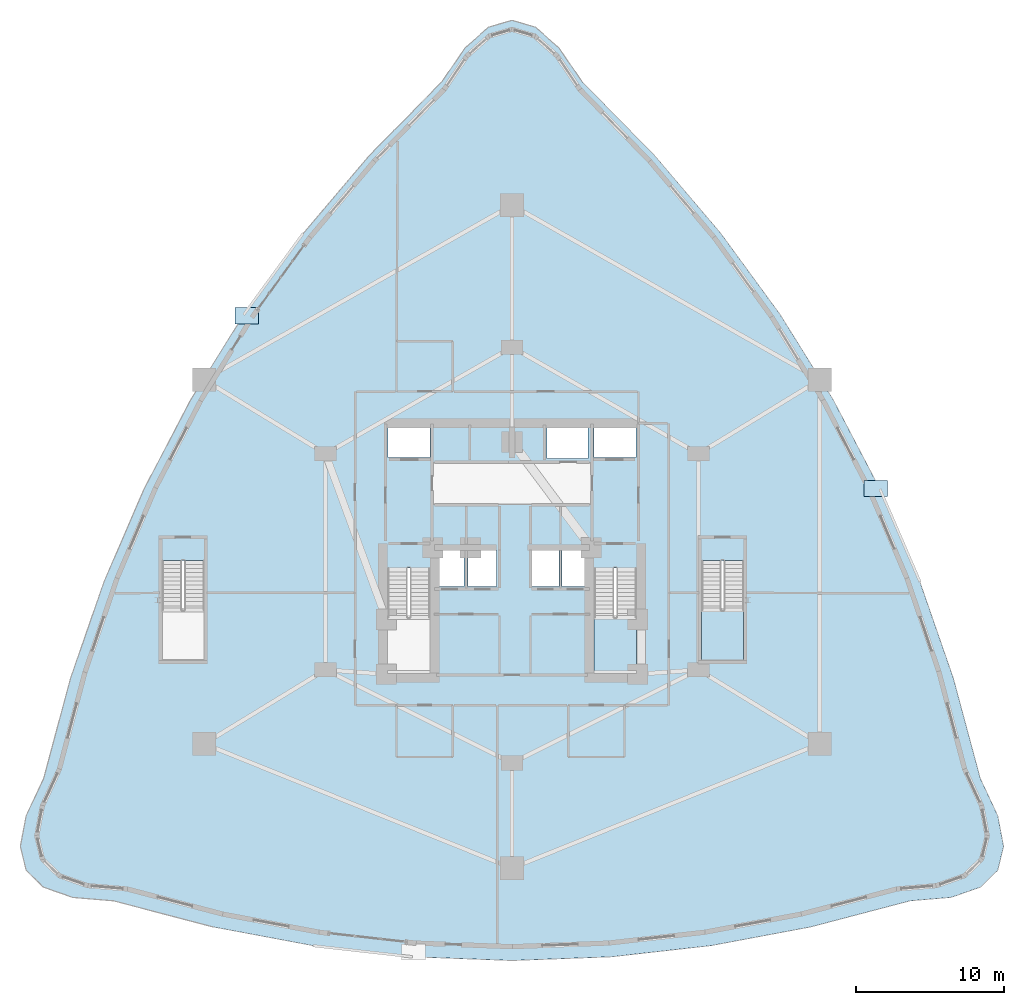
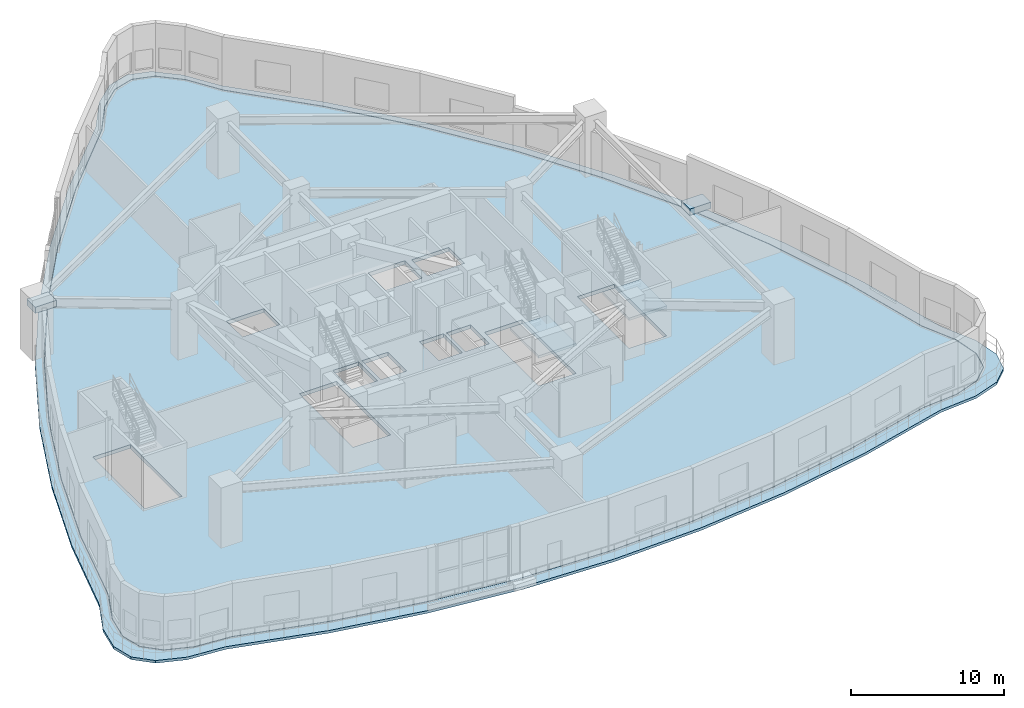
# One storey, part 10 of 19: 6 slabs, 2 elements without a shape of their own.
"""IFC4 building model written with IfcOpenShell, lengths in metres."""

import ifcopenshell
import ifcopenshell.guid

model = None  # the IFC model being written
_history = None  # IfcOwnerHistory: only IFC2X3 demands one
_inside = {}  # id of a spatial element -> (the spatial element, [elements in it])
_under = {}  # id of a project, library or spatial element -> (it, [spatial elements below it])
_declared = {}  # id of a project -> (the project, [libraries it declares])
_typed = {}  # id of a type object -> (the type object, [elements of that type])
_made_of = {}  # id of a material, layer set ... -> (it, [elements and type objects made of it])


def new_model(schema):
    """Start an empty IFC model of exactly this schema.

    Asked for "IFC4X3", IfcOpenShell would pick the latest addendum, in which some entities
    have other attributes; the version numbers below select the first issue.
    IFC2X3 requires an IfcOwnerHistory on every rooted entity: one is made here for all.
    """
    global model, _history
    if schema == "IFC4X3":
        model = ifcopenshell.file(schema_version=(4, 3, 0, 0))
    else:
        model = ifcopenshell.file(schema=schema)
    _inside.clear()
    _under.clear()
    _declared.clear()
    _typed.clear()
    _made_of.clear()
    _history = None
    if model.schema == "IFC2X3":
        org = make("IfcOrganization", Name="unknown")
        user = make(
            "IfcPersonAndOrganization",
            ThePerson=make("IfcPerson", FamilyName="unknown"),
            TheOrganization=org,
        )
        app = make(
            "IfcApplication",
            ApplicationDeveloper=org,
            Version="unknown",
            ApplicationFullName="unknown",
            ApplicationIdentifier="unknown",
        )
        _history = make(
            "IfcOwnerHistory",
            OwningUser=user,
            OwningApplication=app,
            ChangeAction="ADDED",
            CreationDate=0,
        )
    return model


def make(cls, **values):
    """One entity of the class cls with the attributes given. An attribute that is None is left unset."""
    return model.create_entity(
        cls, **{name: value for name, value in values.items() if value is not None}
    )


def rooted(cls, **values):
    """An entity with a GlobalId (a new one), such as an element, a storey or a relation."""
    return make(cls, GlobalId=ifcopenshell.guid.new(), OwnerHistory=_history, **values)


def si_unit(unit_type, name, prefix=None):
    """IfcSIUnit, for example si_unit("LENGTHUNIT", "METRE", prefix="MILLI")."""
    return make("IfcSIUnit", UnitType=unit_type, Prefix=prefix, Name=name)


def assignment(units):
    """IfcUnitAssignment: the units of a project."""
    return None if units is None else make("IfcUnitAssignment", Units=units)


def point(xyz):
    """IfcCartesianPoint."""
    return None if xyz is None else make("IfcCartesianPoint", Coordinates=xyz)


def direction(xyz):
    """IfcDirection."""
    return None if xyz is None else make("IfcDirection", DirectionRatios=xyz)


def frame(location, z_axis=None, x_axis=None):
    """IfcAxis2Placement3D, a coordinate frame: its origin and axes. An axis left out is left unset."""
    return make(
        "IfcAxis2Placement3D",
        Location=point(location),
        Axis=direction(z_axis),
        RefDirection=direction(x_axis),
    )


def origin():
    """The frame at (0, 0, 0) with its axes left unset."""
    return frame((0.0, 0.0, 0.0))


def place(relative_to, where):
    """IfcLocalPlacement: puts the frame where relative to a parent placement (None: the world)."""
    return make(
        "IfcLocalPlacement", PlacementRelTo=relative_to, RelativePlacement=where
    )


def context(
    kind, dimensions, precision=None, world=None, true_north=None, identifier=None
):
    """IfcGeometricRepresentationContext, for example the 3D "Model" context."""
    return make(
        "IfcGeometricRepresentationContext",
        ContextIdentifier=identifier,
        ContextType=kind,
        CoordinateSpaceDimension=dimensions,
        Precision=precision,
        WorldCoordinateSystem=world,
        TrueNorth=true_north,
    )


def subcontext(parent, identifier, kind, view, scale=None):
    """IfcGeometricRepresentationSubContext, for example "Body" below "Model"."""
    return make(
        "IfcGeometricRepresentationSubContext",
        ContextIdentifier=identifier,
        ContextType=kind,
        ParentContext=parent,
        TargetScale=scale,
        TargetView=view,
    )


def project(units=None, contexts=None):
    """IfcProject with its units and contexts."""
    return rooted(
        "IfcProject",
        Name="project",
        RepresentationContexts=contexts,
        UnitsInContext=assignment(units),
    )


def spatial(cls, under=None, at=None, **own):
    """A site, building, storey or space (cls), placed at a placement, below another one or the project."""
    s = rooted(cls, ObjectPlacement=at, **own)
    if under is not None:
        _under.setdefault(under.id(), (under, []))[1].append(s)
    return s


def polyline(points):
    """IfcPolyline through the points."""
    return make("IfcPolyline", Points=[point(p) for p in points])


def outline(outer, holes=None, kind="AREA"):
    """IfcArbitraryClosedProfileDef: a profile drawn as a closed curve; with holes, ...WithVoids."""
    if holes is None:
        return make("IfcArbitraryClosedProfileDef", ProfileType=kind, OuterCurve=outer)
    return make(
        "IfcArbitraryProfileDefWithVoids",
        ProfileType=kind,
        OuterCurve=outer,
        InnerCurves=holes,
    )


def extrude(swept, where, along, depth):
    """IfcExtrudedAreaSolid: the profile swept, set in the frame where, extruded along a direction by depth."""
    return make(
        "IfcExtrudedAreaSolid",
        SweptArea=swept,
        Position=where,
        ExtrudedDirection=direction(along),
        Depth=depth,
    )


def shape(context_of_items, identifier, shape_type, items):
    """IfcShapeRepresentation: the items that make up one representation, for example the "Body"."""
    return make(
        "IfcShapeRepresentation",
        ContextOfItems=context_of_items,
        RepresentationIdentifier=identifier,
        RepresentationType=shape_type,
        Items=items,
    )


def material(Name=None, Category=None):
    """IfcMaterial."""
    return make("IfcMaterial", Name=Name, Category=Category)


def layer(
    of_material, thickness, ventilated=None, Name=None, Category=None, Priority=None
):
    """IfcMaterialLayer: one layer of a wall or slab, of a material (None: an air gap)."""
    return make(
        "IfcMaterialLayer",
        Material=of_material,
        LayerThickness=thickness,
        IsVentilated=ventilated,
        Name=Name,
        Category=Category,
        Priority=Priority,
    )


def layer_set(layers, Name=None):
    """IfcMaterialLayerSet."""
    return make("IfcMaterialLayerSet", MaterialLayers=layers, LayerSetName=Name)


def made_of(thing, what):
    """Note that an element or type object is made of a material, layer set ...; save() writes the relation."""
    if what is not None:
        _made_of.setdefault(what.id(), (what, []))[1].append(thing)
    return thing


def type_object(cls, material=None, **own):
    """A type object (cls), such as IfcWallType, which elements share."""
    return made_of(rooted(cls, **own), material)


def element(
    cls,
    number,
    at=None,
    inside=None,
    cuts=None,
    type_object=None,
    material=None,
    context=None,
    identifier="Body",
    shape_type=None,
    held_by="IfcProductDefinitionShape",
    body=None,
    shapes=None,
    **own,
):
    """One element of the class cls, such as IfcWall. Its Tag is "e" and its number.

    at: its placement. inside: the storey or other place that contains it. cuts: it is an
    opening in that element (IfcRelVoidsElement). A single representation is given by context,
    identifier, shape_type and body (its items); several are given by shapes. held_by: the class
    of the entity that holds the representations. save() writes the other relations.
    """
    e = rooted(cls, Tag="e%d" % number, ObjectPlacement=at, **own)
    if body is not None:
        shapes = [shape(context, identifier, shape_type, body)]
    if shapes is not None:
        e.Representation = make(held_by, Representations=shapes)
    if inside is not None:
        _inside.setdefault(inside.id(), (inside, []))[1].append(e)
    if cuts is not None:
        rooted(
            "IfcRelVoidsElement", RelatingBuildingElement=cuts, RelatedOpeningElement=e
        )
    if type_object is not None:
        _typed.setdefault(type_object.id(), (type_object, []))[1].append(e)
    return made_of(e, material)


def aggregate(whole, parts):
    """IfcRelAggregates: a whole, such as a stair, and the parts it consists of."""
    return rooted("IfcRelAggregates", RelatingObject=whole, RelatedObjects=parts)


def save(model, path):
    """Write the relations noted so far, then the file.

    IfcRelAggregates (storeys below a building ...), IfcRelContainedInSpatialStructure (elements
    in a storey), IfcRelDefinesByType, IfcRelAssociatesMaterial and IfcRelDeclares: one each for
    every whole, place, type object, material and project.
    """
    for whole, parts in _under.values():
        aggregate(whole, parts)
    for where, things in _inside.values():
        rooted(
            "IfcRelContainedInSpatialStructure",
            RelatedElements=things,
            RelatingStructure=where,
        )
    for kind, things in _typed.values():
        rooted("IfcRelDefinesByType", RelatedObjects=things, RelatingType=kind)
    for what, things in _made_of.values():
        rooted("IfcRelAssociatesMaterial", RelatedObjects=things, RelatingMaterial=what)
    for by, libraries in _declared.values():
        rooted("IfcRelDeclares", RelatingContext=by, RelatedDefinitions=libraries)
    model.write(path)


model = new_model("IFC4")

# Units and contexts
model_context = context("Model", 3, precision=1e-05, world=origin(), true_north=direction((0.0, 1.0)))
body_context = subcontext(model_context, "Body", "Model", "MODEL_VIEW")
ifc_project = project(units=[si_unit("LENGTHUNIT", "METRE"), si_unit("AREAUNIT", "SQUARE_METRE"), si_unit("VOLUMEUNIT", "CUBIC_METRE"), si_unit("PLANEANGLEUNIT", "RADIAN"), si_unit("MASSUNIT", "GRAM", prefix="KILO")], contexts=[model_context])

# Site, building, storey
site_placement = place(None, origin())
site = spatial("IfcSite", under=ifc_project, at=site_placement, CompositionType="ELEMENT")
building_placement = place(site_placement, origin())
building = spatial("IfcBuilding", under=site, at=building_placement, Name="Miruveldt Soraemaru", CompositionType="ELEMENT")
storey_placement = place(building_placement, frame((0.0, 0.0, 19.199951171875)))
storey = spatial("IfcBuildingStorey", under=building, at=storey_placement, Name="L05", CompositionType="ELEMENT", Elevation=19.199951171875)

# Stair, slab
ifc_material_1 = material(Name="Concrete C40/50 (40 MPa)", Category="concrete")
stair_type_1 = type_object("IfcStairType", Name="STAIR-DL-480", PredefinedType="HALF_TURN_STAIR", material=ifc_material_1)
stair_1_placement = place(storey_placement, origin())
stair_1 = element("IfcStair", 1, at=stair_1_placement, inside=storey, type_object=stair_type_1, Name="L05 Protected Exit Stair ST-2", PredefinedType="HALF_TURN_STAIR")
ifc_layer_1 = layer(ifc_material_1, 0.199951171875, Name="Concrete C40/50 (40 MPa)", Category="concrete")
ifc_layer_set_1 = layer_set([ifc_layer_1], Name="Concrete C40/50 (40 MPa)")
slab_type_1 = type_object("IfcSlabType", Name="SLAB-LAND-200", PredefinedType="LANDING", material=ifc_layer_set_1)
slab_1_placement = place(storey_placement, frame((0.0, 0.0, 2.199951171875)))
slab_1 = element("IfcSlab", 2, at=slab_1_placement, type_object=slab_type_1, Name="ST-2 landing 1", PredefinedType="LANDING", context=body_context, shape_type="SweptSolid", body=[
    extrude(outline(polyline([(49.550048828125, 39.35791015625), (49.550048828125, 35.64990234375), (52.39990234375, 35.64990234375), (52.39990234375, 39.35791015625), (49.550048828125, 39.35791015625)])), origin(), (0.0, 0.0, 1.0), 0.2001953125),
])
aggregate(stair_1, [slab_1])

ifc_material_2 = material(Name="Steel S355 (355 MPa)", Category="steel")
stair_type_2 = type_object("IfcStairType", Name="STAIR-FEAT-STR", PredefinedType="TWO_STRAIGHT_RUN_STAIR", material=ifc_material_2)
stair_2_placement = place(storey_placement, origin())
stair_2 = element("IfcStair", 3, at=stair_2_placement, inside=storey, type_object=stair_type_2, Name="L05 Podium Garden Feature Stair ST-4", PredefinedType="TWO_STRAIGHT_RUN_STAIR")
slab_2_placement = place(storey_placement, frame((0.0, 0.0, 2.199951171875)))
slab_2 = element("IfcSlab", 4, at=slab_2_placement, type_object=slab_type_1, Name="ST-4 landing 1", PredefinedType="LANDING", context=body_context, shape_type="SweptSolid", body=[
    extrude(outline(polyline([(56.800048828125, 39.85791015625), (56.800048828125, 36.39990234375), (59.64990234375, 36.39990234375), (59.64990234375, 39.85791015625), (56.800048828125, 39.85791015625)])), origin(), (0.0, 0.0, 1.0), 0.2001953125),
])
aggregate(stair_2, [slab_2])

# Slabs
ifc_material_3 = material(Name="Precast concrete C45/55 (45 MPa)", Category="concrete")
ifc_layer_2 = layer(ifc_material_3, 0.179931640625, Name="Precast concrete C45/55 (45 MPa)", Category="concrete")
ifc_layer_set_2 = layer_set([ifc_layer_2], Name="Precast concrete C45/55 (45 MPa)")
slab_type_2 = type_object("IfcSlabType", Name="SLAB-PLTR-180", PredefinedType="USERDEFINED", material=ifc_layer_set_2)
slab_3_placement = place(storey_placement, origin())
element("IfcSlab", 5, at=slab_3_placement, inside=storey, type_object=slab_type_2, Name="L05 Terrace Planter Bed PLANTER 1", ObjectType="PLANTER", PredefinedType="USERDEFINED", context=body_context, shape_type="SweptSolid", body=[
    extrude(outline(polyline([(25.26806640625, 59.178955078125), (26.867919921875, 59.178955078125), (26.867919921875, 60.279052734375), (25.26806640625, 60.279052734375), (25.26806640625, 59.178955078125)])), origin(), (0.0, 0.0, 1.0), 0.5),
])
slab_4_placement = place(storey_placement, origin())
element("IfcSlab", 6, at=slab_4_placement, inside=storey, type_object=slab_type_2, Name="L05 Terrace Planter Bed PLANTER 3", ObjectType="PLANTER", PredefinedType="USERDEFINED", context=body_context, shape_type="SweptSolid", body=[
    extrude(outline(polyline([(67.782958984375, 47.5048828125), (69.383056640625, 47.5048828125), (69.383056640625, 48.60498046875), (67.782958984375, 48.60498046875), (67.782958984375, 47.5048828125)])), origin(), (0.0, 0.0, 1.0), 0.5),
])
ifc_layer_3 = layer(ifc_material_1, 0.300048828125, Name="Concrete C40/50 (40 MPa)", Category="concrete")
ifc_layer_set_3 = layer_set([ifc_layer_3], Name="Concrete C40/50 (40 MPa)")
slab_type_3 = type_object("IfcSlabType", Name="SLAB-PODM-300", PredefinedType="FLOOR", material=ifc_layer_set_3)
slab_5_placement = place(storey_placement, frame((0.0, 0.0, -0.300048828125)))
element("IfcSlab", 7, at=slab_5_placement, inside=storey, type_object=slab_type_3, Name="L05 Structural Floor Slab", PredefinedType="FLOOR", context=body_context, shape_type="SweptSolid", body=[
    extrude(outline(polyline([(53.33154296875, 70.14453125), (57.661376953125, 65.00830078125), (61.56005859375, 59.62841796875), (65.02783203125, 54.00439453125), (68.064697265625, 48.136474609375), (70.670654296875, 42.024658203125), (72.845703125, 35.6689453125), (74.589599609375, 29.0693359375), (75.732421875, 26.601806640625), (76.11328125, 24.5830078125), (75.732421875, 23.0126953125), (74.589599609375, 21.891357421875), (72.685302734375, 21.21826171875), (70.018798828125, 20.993896484375), (63.51416015625, 19.28662109375), (57.009521484375, 18.06689453125), (50.504638671875, 17.335205078125), (44.0, 17.09130859375), (37.495361328125, 17.335205078125), (30.990478515625, 18.06689453125), (24.48583984375, 19.28662109375), (17.981201171875, 20.993896484375), (15.314697265625, 21.21826171875), (13.410400390625, 21.891357421875), (12.267578125, 23.0126953125), (11.88671875, 24.5830078125), (12.267578125, 26.601806640625), (13.410400390625, 29.0693359375), (15.154296875, 35.6689453125), (17.329345703125, 42.024658203125), (19.935302734375, 48.136474609375), (22.97216796875, 54.00439453125), (26.43994140625, 59.62841796875), (30.338623046875, 65.00830078125), (34.66845703125, 70.14453125), (39.42919921875, 75.03662109375), (40.95263671875, 77.27978515625), (42.476318359375, 78.625732421875), (44.0, 79.07421875), (45.523681640625, 78.625732421875), (47.04736328125, 77.27978515625), (48.57080078125, 75.03662109375), (53.33154296875, 70.14453125)]), holes=[polyline([(35.614990234375, 35.6650390625), (38.43505859375, 35.6650390625), (38.43505859375, 42.68505859375), (35.614990234375, 42.68505859375), (35.614990234375, 35.6650390625)]), polyline([(20.364990234375, 36.4150390625), (23.18505859375, 36.4150390625), (23.18505859375, 43.18505859375), (20.364990234375, 43.18505859375), (20.364990234375, 36.4150390625)]), polyline([(40.764892578125, 41.4150390625), (40.764892578125, 43.885009765625), (38.81494140625, 43.885009765625), (38.81494140625, 41.4150390625), (40.764892578125, 41.4150390625)]), polyline([(41.034912109375, 41.4150390625), (42.965087890625, 41.4150390625), (42.965087890625, 43.885009765625), (41.034912109375, 43.885009765625), (41.034912109375, 41.4150390625)]), polyline([(45.364990234375, 41.4150390625), (47.1650390625, 41.4150390625), (47.1650390625, 43.885009765625), (45.364990234375, 43.885009765625), (45.364990234375, 41.4150390625)]), polyline([(38.445068359375, 50.135009765625), (38.445068359375, 52.205078125), (35.635009765625, 52.205078125), (35.635009765625, 50.135009765625), (38.445068359375, 50.135009765625)]), polyline([(49.56494140625, 42.68505859375), (49.56494140625, 35.6650390625), (52.385009765625, 35.6650390625), (52.385009765625, 42.68505859375), (49.56494140625, 42.68505859375)]), polyline([(56.81494140625, 43.18505859375), (56.81494140625, 36.4150390625), (59.635009765625, 36.4150390625), (59.635009765625, 43.18505859375), (56.81494140625, 43.18505859375)]), polyline([(49.18505859375, 41.4150390625), (49.18505859375, 43.885009765625), (47.39501953125, 43.885009765625), (47.39501953125, 41.4150390625), (49.18505859375, 41.4150390625)]), polyline([(49.554931640625, 50.135009765625), (52.364990234375, 50.135009765625), (52.364990234375, 52.205078125), (49.554931640625, 52.205078125), (49.554931640625, 50.135009765625)]), polyline([(46.364990234375, 50.06494140625), (49.135009765625, 50.06494140625), (49.135009765625, 52.3349609375), (46.364990234375, 52.3349609375), (46.364990234375, 50.06494140625)])]), origin(), (0.0, 0.0, 1.0), 0.300048828125),
])
ifc_layer_4 = layer(ifc_material_1, 0.2099609375, Name="Concrete C40/50 (40 MPa)", Category="concrete")
ifc_layer_set_4 = layer_set([ifc_layer_4], Name="Concrete C40/50 (40 MPa)")
slab_type_4 = type_object("IfcSlabType", Name="SLAB-TERR-210", PredefinedType="ROOF", material=ifc_layer_set_4)
slab_6_placement = place(storey_placement, frame((0.0, 0.0, -0.2099609375)))
element("IfcSlab", 8, at=slab_6_placement, inside=storey, type_object=slab_type_4, Name="L05 Planted Terrace Roof Slab", PredefinedType="ROOF", context=body_context, shape_type="SweptSolid", body=[
    extrude(outline(polyline([(53.637939453125, 70.54541015625), (58.106201171875, 65.29052734375), (62.1328125, 59.783203125), (65.718017578125, 54.023681640625), (68.86181640625, 48.01171875), (71.564208984375, 41.74755859375), (73.8251953125, 35.23095703125), (75.64453125, 28.4619140625), (76.82666015625, 25.934326171875), (77.220703125, 23.866455078125), (76.82666015625, 22.258056640625), (75.64453125, 21.109130859375), (73.67431640625, 20.419921875), (70.916015625, 20.18994140625), (64.18701171875, 18.423583984375), (57.4580078125, 17.161865234375), (50.72900390625, 16.40478515625), (44.0, 16.152587890625), (37.27099609375, 16.40478515625), (30.5419921875, 17.161865234375), (23.81298828125, 18.423583984375), (17.083984375, 20.18994140625), (14.32568359375, 20.419921875), (12.35546875, 21.109130859375), (11.17333984375, 22.258056640625), (10.779296875, 23.866455078125), (11.17333984375, 25.934326171875), (12.35546875, 28.4619140625), (14.1748046875, 35.23095703125), (16.435791015625, 41.74755859375), (19.13818359375, 48.01171875), (22.281982421875, 54.023681640625), (25.8671875, 59.783203125), (29.893798828125, 65.29052734375), (34.362060546875, 70.54541015625), (39.271484375, 75.548095703125), (40.84765625, 77.845703125), (42.423828125, 79.224609375), (44.0, 79.68408203125), (45.576171875, 79.224609375), (47.15234375, 77.845703125), (48.728515625, 75.548095703125), (53.637939453125, 70.54541015625)]), holes=[polyline([(47.059814453125, 77.2880859375), (45.533447265625, 78.636962890625), (44.004150390625, 79.088623046875), (42.47216796875, 78.64013671875), (40.94287109375, 77.291015625), (39.41748046875, 75.046142578125), (34.65771484375, 70.155029296875), (30.3271484375, 65.01806640625), (26.427978515625, 59.63720703125), (22.959228515625, 54.01220703125), (19.921875, 48.143310546875), (17.3154296875, 42.030517578125), (15.14013671875, 35.673828125), (13.39599609375, 29.074462890625), (12.25390625, 26.608154296875), (11.871826171875, 24.585693359375), (12.2529296875, 23.00927734375), (13.39990234375, 21.880615234375), (15.309814453125, 21.2041015625), (17.978515625, 20.979248046875), (24.48193359375, 19.27197265625), (30.98779296875, 18.05224609375), (37.49365234375, 17.3203125), (43.99951171875, 17.076171875), (50.50537109375, 17.320068359375), (57.010986328125, 18.052001953125), (63.51708984375, 19.271728515625), (70.021484375, 20.979248046875), (72.6865234375, 21.203369140625), (74.5947265625, 21.877197265625), (75.742919921875, 23.002197265625), (76.1279296875, 24.57958984375), (75.747314453125, 26.604736328125), (74.60400390625, 29.074462890625), (72.860107421875, 35.6728515625), (70.684814453125, 42.029541015625), (68.07861328125, 48.142333984375), (65.041259765625, 54.01123046875), (61.57275390625, 59.63623046875), (57.67333984375, 65.01708984375), (53.343017578125, 70.154296875), (48.58251953125, 75.046142578125), (47.059814453125, 77.2880859375)])]), origin(), (0.0, 0.0, 1.0), 0.2099609375),
])

save(model, "model.ifc")
